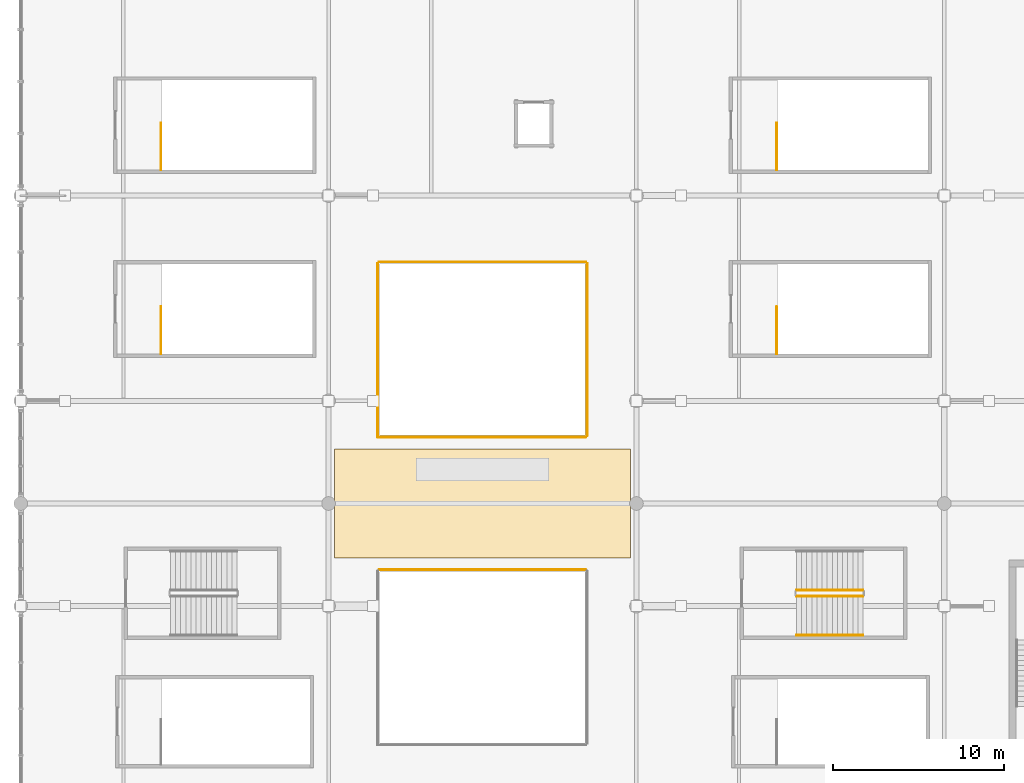
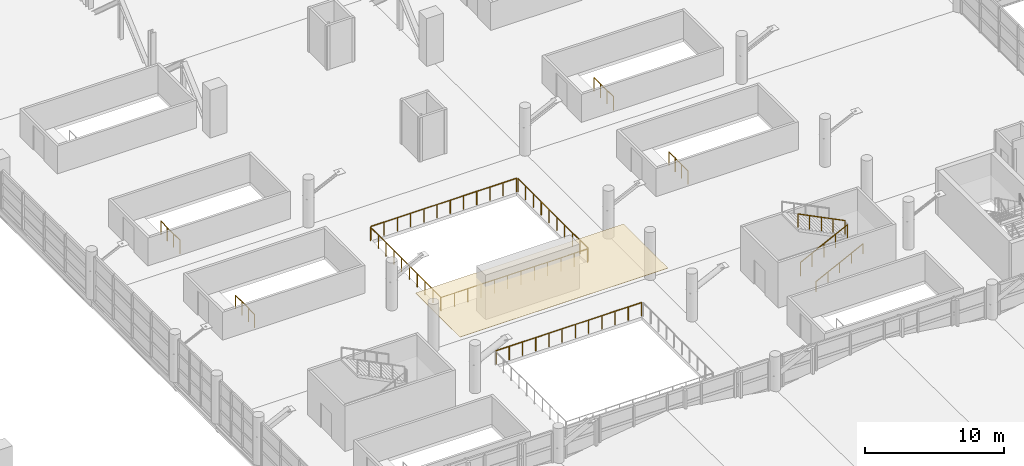
# One storey, part 127 of 136: 12 railings, 1 covering.
"""IFC4 building model written with IfcOpenShell, lengths in metres."""

from ifc_helpers import new_model, si_unit, direction, frame, origin, origin_2d, place, context, subcontext, project, spatial, polyline, circle, outline, extrude, material, layer, layer_set, type_object, element, save


model = new_model("IFC4")

# Units and contexts
model_context = context("Model", 3, precision=1e-05, world=origin(), true_north=direction((0.0, 1.0)))
body_context = subcontext(model_context, "Body", "Model", "MODEL_VIEW")
ifc_project = project(units=[si_unit("LENGTHUNIT", "METRE"), si_unit("AREAUNIT", "SQUARE_METRE"), si_unit("VOLUMEUNIT", "CUBIC_METRE"), si_unit("PLANEANGLEUNIT", "RADIAN"), si_unit("MASSUNIT", "GRAM", prefix="KILO")], contexts=[model_context])

# Site, building, storey
site_placement = place(None, origin())
site = spatial("IfcSite", under=ifc_project, at=site_placement, CompositionType="ELEMENT")
building_placement = place(site_placement, origin())
building = spatial("IfcBuilding", under=site, at=building_placement, Name="Chuanluo Vaults Station", CompositionType="ELEMENT")
storey_placement = place(building_placement, frame((0.0, 0.0, 6.60009765625)))
storey = spatial("IfcBuildingStorey", under=building, at=storey_placement, Name="L01", CompositionType="ELEMENT", Elevation=6.60009765625)

# Covering
ifc_material_1 = material(Name="Acoustic mineral-fibre tile")
ifc_layer = layer(ifc_material_1, 0.02490234375)
ifc_layer_set = layer_set([ifc_layer], Name="Acoustic mineral-fibre tile")
covering_type = type_object("IfcCoveringType", Name="COV-CEIL-TILE", PredefinedType="CEILING", material=ifc_layer_set)
covering_placement = place(storey_placement, frame((0.0, 0.0, 2.849853515625)))
element("IfcCovering", 1, at=covering_placement, inside=storey, type_object=covering_type, Name="L01-01B suspended acoustic ceiling", PredefinedType="CEILING", context=body_context, shape_type="SweptSolid", body=[
    extrude(outline(polyline([(36.35009765625, 32.800048828125), (53.64990234375, 32.800048828125), (53.64990234375, 39.199951171875), (36.35009765625, 39.199951171875), (36.35009765625, 32.800048828125)])), origin(), (0.0, 0.0, 1.0), 0.025146484375),
])

# Railings
ifc_material_2 = material(Name="Tempered laminated balustrade glass", Category="glass")
railing_type_1 = type_object("IfcRailingType", Name="RLG-GUARD-1200", PredefinedType="BALUSTRADE", material=ifc_material_2)
railing_1_placement = place(storey_placement, frame((51.0400390625, 32.1201171875, 0.0)))
element("IfcRailing", 2, at=railing_1_placement, inside=storey, type_object=railing_type_1, Name="Concourse atrium void glass balustrade 01-N", PredefinedType="BALUSTRADE", context=body_context, shape_type="SweptSolid", body=[
    extrude(circle(Radius=0.02392578125, at=origin_2d()), frame((0.0, 0.0, 1.17578125), z_axis=(-1.0, 0.0, 0.0), x_axis=(0.0, -1.0, 0.0)), (0.0, 0.0, 1.0), 12.080078125),
    extrude(circle(Radius=0.02099609375, at=origin_2d()), origin(), (0.0, 0.0, 1.0), 1.15185546875),
    extrude(circle(Radius=0.02099609375, at=origin_2d()), frame((-1.09814453125, 0.0, 0.0)), (0.0, 0.0, 1.0), 1.15185546875),
    extrude(circle(Radius=0.02099609375, at=origin_2d()), frame((-2.1962890625, 0.0, 0.0)), (0.0, 0.0, 1.0), 1.15185546875),
    extrude(circle(Radius=0.02099609375, at=origin_2d()), frame((-3.294677734375, 0.0, 0.0)), (0.0, 0.0, 1.0), 1.15185546875),
    extrude(circle(Radius=0.02099609375, at=origin_2d()), frame((-4.392822265625, 0.0, 0.0)), (0.0, 0.0, 1.0), 1.15185546875),
    extrude(circle(Radius=0.02099609375, at=origin_2d()), frame((-5.490966796875, 0.0, 0.0)), (0.0, 0.0, 1.0), 1.15185546875),
    extrude(circle(Radius=0.02099609375, at=origin_2d()), frame((-6.589111328125, 0.0, 0.0)), (0.0, 0.0, 1.0), 1.15185546875),
    extrude(circle(Radius=0.02099609375, at=origin_2d()), frame((-7.687255859375, 0.0, 0.0)), (0.0, 0.0, 1.0), 1.15185546875),
    extrude(circle(Radius=0.02099609375, at=origin_2d()), frame((-8.785400390625, 0.0, 0.0)), (0.0, 0.0, 1.0), 1.15185546875),
    extrude(circle(Radius=0.02099609375, at=origin_2d()), frame((-9.8837890625, 0.0, 0.0)), (0.0, 0.0, 1.0), 1.15185546875),
    extrude(circle(Radius=0.02099609375, at=origin_2d()), frame((-10.98193359375, 0.0, 0.0)), (0.0, 0.0, 1.0), 1.15185546875),
    extrude(circle(Radius=0.02099609375, at=origin_2d()), frame((-12.080078125, 0.0, 0.0)), (0.0, 0.0, 1.0), 1.15185546875),
])
railing_2_placement = place(storey_placement, frame((38.8798828125, 39.8798828125, 0.0)))
element("IfcRailing", 3, at=railing_2_placement, inside=storey, type_object=railing_type_1, Name="Concourse atrium void glass balustrade 02-S", PredefinedType="BALUSTRADE", context=body_context, shape_type="SweptSolid", body=[
    extrude(circle(Radius=0.02392578125, at=origin_2d()), frame((0.0, 0.0, 1.17578125), z_axis=(1.0, 0.0, 0.0), x_axis=(0.0, 1.0, 0.0)), (0.0, 0.0, 1.0), 12.16015625),
    extrude(circle(Radius=0.02099609375, at=origin_2d()), origin(), (0.0, 0.0, 1.0), 1.15185546875),
    extrude(circle(Radius=0.02099609375, at=origin_2d()), frame((1.10546875, 0.0, 0.0)), (0.0, 0.0, 1.0), 1.15185546875),
    extrude(circle(Radius=0.02099609375, at=origin_2d()), frame((2.2109375, 0.0, 0.0)), (0.0, 0.0, 1.0), 1.15185546875),
    extrude(circle(Radius=0.02099609375, at=origin_2d()), frame((3.31640625, 0.0, 0.0)), (0.0, 0.0, 1.0), 1.15185546875),
    extrude(circle(Radius=0.02099609375, at=origin_2d()), frame((4.421875, 0.0, 0.0)), (0.0, 0.0, 1.0), 1.15185546875),
    extrude(circle(Radius=0.02099609375, at=origin_2d()), frame((5.52734375, 0.0, 0.0)), (0.0, 0.0, 1.0), 1.15185546875),
    extrude(circle(Radius=0.02099609375, at=origin_2d()), frame((6.6328125, 0.0, 0.0)), (0.0, 0.0, 1.0), 1.15185546875),
    extrude(circle(Radius=0.02099609375, at=origin_2d()), frame((7.73828125, 0.0, 0.0)), (0.0, 0.0, 1.0), 1.15185546875),
    extrude(circle(Radius=0.02099609375, at=origin_2d()), frame((8.84375, 0.0, 0.0)), (0.0, 0.0, 1.0), 1.15185546875),
    extrude(circle(Radius=0.02099609375, at=origin_2d()), frame((9.94921875, 0.0, 0.0)), (0.0, 0.0, 1.0), 1.15185546875),
    extrude(circle(Radius=0.02099609375, at=origin_2d()), frame((11.0546875, 0.0, 0.0)), (0.0, 0.0, 1.0), 1.15185546875),
    extrude(circle(Radius=0.02099609375, at=origin_2d()), frame((12.16015625, 0.0, 0.0)), (0.0, 0.0, 1.0), 1.15185546875),
])
railing_3_placement = place(storey_placement, frame((51.1201171875, 39.9599609375, 0.0)))
element("IfcRailing", 4, at=railing_3_placement, inside=storey, type_object=railing_type_1, Name="Concourse atrium void glass balustrade 02-E", PredefinedType="BALUSTRADE", context=body_context, shape_type="SweptSolid", body=[
    extrude(circle(Radius=0.02392578125, at=origin_2d()), frame((0.0, 0.0, 1.17578125), z_axis=(0.0, 1.0, 0.0), x_axis=(-1.0, 0.0, 0.0)), (0.0, 0.0, 1.0), 10.080078125),
    extrude(circle(Radius=0.02099609375, at=origin_2d()), origin(), (0.0, 0.0, 1.0), 1.15185546875),
    extrude(circle(Radius=0.02099609375, at=origin_2d()), frame((0.0, 1.1201171875, 0.0)), (0.0, 0.0, 1.0), 1.15185546875),
    extrude(circle(Radius=0.02099609375, at=origin_2d()), frame((0.0, 2.239990234375, 0.0)), (0.0, 0.0, 1.0), 1.15185546875),
    extrude(circle(Radius=0.02099609375, at=origin_2d()), frame((0.0, 3.360107421875, 0.0)), (0.0, 0.0, 1.0), 1.15185546875),
    extrude(circle(Radius=0.02099609375, at=origin_2d()), frame((0.0, 4.47998046875, 0.0)), (0.0, 0.0, 1.0), 1.15185546875),
    extrude(circle(Radius=0.02099609375, at=origin_2d()), frame((0.0, 5.60009765625, 0.0)), (0.0, 0.0, 1.0), 1.15185546875),
    extrude(circle(Radius=0.02099609375, at=origin_2d()), frame((0.0, 6.719970703125, 0.0)), (0.0, 0.0, 1.0), 1.15185546875),
    extrude(circle(Radius=0.02099609375, at=origin_2d()), frame((0.0, 7.840087890625, 0.0)), (0.0, 0.0, 1.0), 1.15185546875),
    extrude(circle(Radius=0.02099609375, at=origin_2d()), frame((0.0, 8.9599609375, 0.0)), (0.0, 0.0, 1.0), 1.15185546875),
    extrude(circle(Radius=0.02099609375, at=origin_2d()), frame((0.0, 10.080078125, 0.0)), (0.0, 0.0, 1.0), 1.15185546875),
])
railing_4_placement = place(storey_placement, frame((51.0400390625, 50.1201171875, 0.0)))
element("IfcRailing", 5, at=railing_4_placement, inside=storey, type_object=railing_type_1, Name="Concourse atrium void glass balustrade 02-N", PredefinedType="BALUSTRADE", context=body_context, shape_type="SweptSolid", body=[
    extrude(circle(Radius=0.02392578125, at=origin_2d()), frame((0.0, 0.0, 1.17578125), z_axis=(-1.0, 0.0, 0.0), x_axis=(0.0, -1.0, 0.0)), (0.0, 0.0, 1.0), 12.080078125),
    extrude(circle(Radius=0.02099609375, at=origin_2d()), origin(), (0.0, 0.0, 1.0), 1.15185546875),
    extrude(circle(Radius=0.02099609375, at=origin_2d()), frame((-1.09814453125, 0.0, 0.0)), (0.0, 0.0, 1.0), 1.15185546875),
    extrude(circle(Radius=0.02099609375, at=origin_2d()), frame((-2.1962890625, 0.0, 0.0)), (0.0, 0.0, 1.0), 1.15185546875),
    extrude(circle(Radius=0.02099609375, at=origin_2d()), frame((-3.294677734375, 0.0, 0.0)), (0.0, 0.0, 1.0), 1.15185546875),
    extrude(circle(Radius=0.02099609375, at=origin_2d()), frame((-4.392822265625, 0.0, 0.0)), (0.0, 0.0, 1.0), 1.15185546875),
    extrude(circle(Radius=0.02099609375, at=origin_2d()), frame((-5.490966796875, 0.0, 0.0)), (0.0, 0.0, 1.0), 1.15185546875),
    extrude(circle(Radius=0.02099609375, at=origin_2d()), frame((-6.589111328125, 0.0, 0.0)), (0.0, 0.0, 1.0), 1.15185546875),
    extrude(circle(Radius=0.02099609375, at=origin_2d()), frame((-7.687255859375, 0.0, 0.0)), (0.0, 0.0, 1.0), 1.15185546875),
    extrude(circle(Radius=0.02099609375, at=origin_2d()), frame((-8.785400390625, 0.0, 0.0)), (0.0, 0.0, 1.0), 1.15185546875),
    extrude(circle(Radius=0.02099609375, at=origin_2d()), frame((-9.8837890625, 0.0, 0.0)), (0.0, 0.0, 1.0), 1.15185546875),
    extrude(circle(Radius=0.02099609375, at=origin_2d()), frame((-10.98193359375, 0.0, 0.0)), (0.0, 0.0, 1.0), 1.15185546875),
    extrude(circle(Radius=0.02099609375, at=origin_2d()), frame((-12.080078125, 0.0, 0.0)), (0.0, 0.0, 1.0), 1.15185546875),
])
railing_5_placement = place(storey_placement, frame((38.8798828125, 50.0400390625, 0.0)))
element("IfcRailing", 6, at=railing_5_placement, inside=storey, type_object=railing_type_1, Name="Concourse atrium void glass balustrade 02-W", PredefinedType="BALUSTRADE", context=body_context, shape_type="SweptSolid", body=[
    extrude(circle(Radius=0.02392578125, at=origin_2d()), frame((0.0, 0.0, 1.17578125), z_axis=(0.0, -1.0, 0.0), x_axis=(1.0, 0.0, 0.0)), (0.0, 0.0, 1.0), 10.080078125),
    extrude(circle(Radius=0.02099609375, at=origin_2d()), origin(), (0.0, 0.0, 1.0), 1.15185546875),
    extrude(circle(Radius=0.02099609375, at=origin_2d()), frame((0.0, -1.1201171875, 0.0)), (0.0, 0.0, 1.0), 1.15185546875),
    extrude(circle(Radius=0.02099609375, at=origin_2d()), frame((0.0, -2.239990234375, 0.0)), (0.0, 0.0, 1.0), 1.15185546875),
    extrude(circle(Radius=0.02099609375, at=origin_2d()), frame((0.0, -3.360107421875, 0.0)), (0.0, 0.0, 1.0), 1.15185546875),
    extrude(circle(Radius=0.02099609375, at=origin_2d()), frame((0.0, -4.47998046875, 0.0)), (0.0, 0.0, 1.0), 1.15185546875),
    extrude(circle(Radius=0.02099609375, at=origin_2d()), frame((0.0, -5.60009765625, 0.0)), (0.0, 0.0, 1.0), 1.15185546875),
    extrude(circle(Radius=0.02099609375, at=origin_2d()), frame((0.0, -6.719970703125, 0.0)), (0.0, 0.0, 1.0), 1.15185546875),
    extrude(circle(Radius=0.02099609375, at=origin_2d()), frame((0.0, -7.840087890625, 0.0)), (0.0, 0.0, 1.0), 1.15185546875),
    extrude(circle(Radius=0.02099609375, at=origin_2d()), frame((0.0, -8.9599609375, 0.0)), (0.0, 0.0, 1.0), 1.15185546875),
    extrude(circle(Radius=0.02099609375, at=origin_2d()), frame((0.0, -10.080078125, 0.0)), (0.0, 0.0, 1.0), 1.15185546875),
])
for number, where, name in (
    (7, (26.199951171875, 55.5, 0.0), "L01 ST-07 top well guard 1"),
    (8, (62.199951171875, 55.5, 0.0), "L01 ST-08 top well guard 1"),
    (9, (26.199951171875, 44.75, 0.0), "L01 ST-20 top well guard 1"),
    (10, (62.199951171875, 44.75, 0.0), "L01 ST-21 top well guard 1"),
):
    element("IfcRailing", number, at=place(storey_placement, frame(where)), inside=storey, type_object=railing_type_1, Name=name, PredefinedType="BALUSTRADE", context=body_context, shape_type="SweptSolid", body=[
        extrude(circle(Radius=0.02392578125, at=origin_2d()), frame((0.0, 0.0, 1.17578125), z_axis=(0.0, 1.0, 0.0), x_axis=(-1.0, 0.0, 0.0)), (0.0, 0.0, 1.0), 2.75),
        extrude(circle(Radius=0.02099609375, at=origin_2d()), origin(), (0.0, 0.0, 1.0), 1.15185546875),
        extrude(circle(Radius=0.02099609375, at=origin_2d()), frame((0.0, 0.916748046875, 0.0)), (0.0, 0.0, 1.0), 1.15185546875),
        extrude(circle(Radius=0.02099609375, at=origin_2d()), frame((0.0, 1.833251953125, 0.0)), (0.0, 0.0, 1.0), 1.15185546875),
        extrude(circle(Radius=0.02099609375, at=origin_2d()), frame((0.0, 2.75, 0.0)), (0.0, 0.0, 1.0), 1.15185546875),
    ])
railing_6_placement = place(storey_placement, frame((63.35009765625, 30.574951171875, 0.14990234375)))
element("IfcRailing", 11, at=railing_6_placement, inside=storey, type_object=railing_type_1, Name="L01 ST-23 stair guard 1", PredefinedType="BALUSTRADE", context=body_context, shape_type="SweptSolid", body=[
    extrude(circle(Radius=0.02392578125, at=origin_2d()), frame((0.0, 0.0, 1.17578125), z_axis=(0.894427191, 0.0, 0.4472135955), x_axis=(0.0, 1.0, 0.0)), (0.0, 0.0, 1.0), 4.360107421875),
    extrude(circle(Radius=0.02099609375, at=origin_2d()), origin(), (0.0, 0.0, 1.0), 1.15185546875),
    extrude(circle(Radius=0.02099609375, at=origin_2d()), frame((0.97509765625, 0.0, 0.487548828125)), (0.0, 0.0, 1.0), 1.15185546875),
    extrude(circle(Radius=0.02099609375, at=origin_2d()), frame((1.949951171875, 0.0, 0.97509765625)), (0.0, 0.0, 1.0), 1.15185546875),
    extrude(circle(Radius=0.02099609375, at=origin_2d()), frame((2.9248046875, 0.0, 1.46240234375)), (0.0, 0.0, 1.0), 1.15185546875),
    extrude(circle(Radius=0.02099609375, at=origin_2d()), frame((3.89990234375, 0.0, 1.949951171875)), (0.0, 0.0, 1.0), 1.15185546875),
])
railing_7_placement = place(storey_placement, frame((67.25, 30.925048828125, 2.25)))
element("IfcRailing", 12, at=railing_7_placement, inside=storey, type_object=railing_type_1, Name="L01 ST-23 stair guard 3", PredefinedType="BALUSTRADE", context=body_context, shape_type="SweptSolid", body=[
    extrude(circle(Radius=0.02392578125, at=origin_2d()), frame((0.0, 0.0, 1.17578125), z_axis=(-0.894427191, 0.0, 0.4472135955), x_axis=(0.0, -1.0, 0.0)), (0.0, 0.0, 1.0), 4.360107421875),
    extrude(circle(Radius=0.02099609375, at=origin_2d()), origin(), (0.0, 0.0, 1.0), 1.15185546875),
    extrude(circle(Radius=0.02099609375, at=origin_2d()), frame((-0.97509765625, 0.0, 0.487548828125)), (0.0, 0.0, 1.0), 1.15185546875),
    extrude(circle(Radius=0.02099609375, at=origin_2d()), frame((-1.949951171875, 0.0, 0.97509765625)), (0.0, 0.0, 1.0), 1.15185546875),
    extrude(circle(Radius=0.02099609375, at=origin_2d()), frame((-2.9248046875, 0.0, 1.46240234375)), (0.0, 0.0, 1.0), 1.15185546875),
    extrude(circle(Radius=0.02099609375, at=origin_2d()), frame((-3.89990234375, 0.0, 1.949951171875)), (0.0, 0.0, 1.0), 1.15185546875),
])
ifc_material_3 = material(Name="Brushed stainless steel 304", Category="steel")
railing_type_2 = type_object("IfcRailingType", Name="RLG-HAND-900", PredefinedType="HANDRAIL", material=ifc_material_3)
railing_8_placement = place(storey_placement, frame((63.35009765625, 28.300048828125, 0.14990234375)))
element("IfcRailing", 13, at=railing_8_placement, inside=storey, type_object=railing_type_2, Name="L01 ST-23 stair handrail 1", PredefinedType="HANDRAIL", context=body_context, shape_type="SweptSolid", body=[
    extrude(circle(Radius=0.02392578125, at=origin_2d()), frame((0.0, 0.0, 0.8759765625), z_axis=(0.894427191, 0.0, 0.4472135955), x_axis=(0.0, 1.0, 0.0)), (0.0, 0.0, 1.0), 4.360107421875),
    extrude(circle(Radius=0.02099609375, at=origin_2d()), origin(), (0.0, 0.0, 1.0), 0.851806640625),
    extrude(circle(Radius=0.02099609375, at=origin_2d()), frame((0.97509765625, 0.0, 0.487548828125)), (0.0, 0.0, 1.0), 0.851806640625),
    extrude(circle(Radius=0.02099609375, at=origin_2d()), frame((1.949951171875, 0.0, 0.97509765625)), (0.0, 0.0, 1.0), 0.851806640625),
    extrude(circle(Radius=0.02099609375, at=origin_2d()), frame((2.9248046875, 0.0, 1.46240234375)), (0.0, 0.0, 1.0), 0.851806640625),
    extrude(circle(Radius=0.02099609375, at=origin_2d()), frame((3.89990234375, 0.0, 1.949951171875)), (0.0, 0.0, 1.0), 0.851806640625),
])

save(model, "model.ifc")
